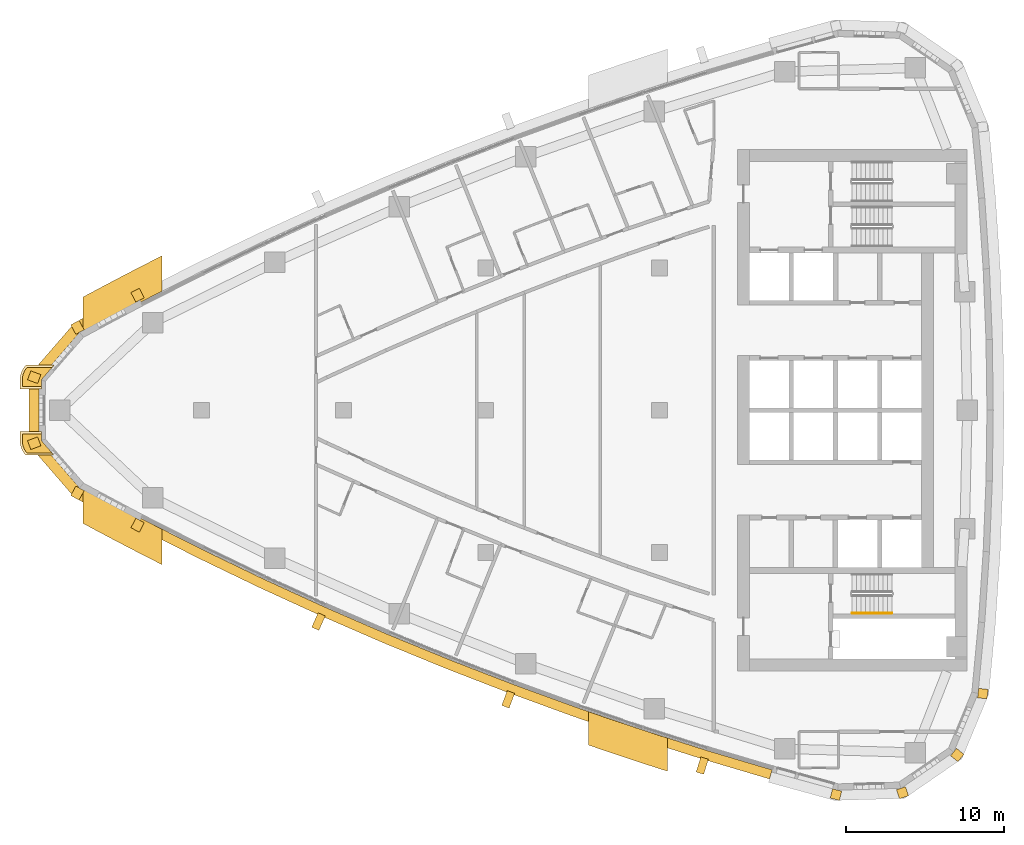
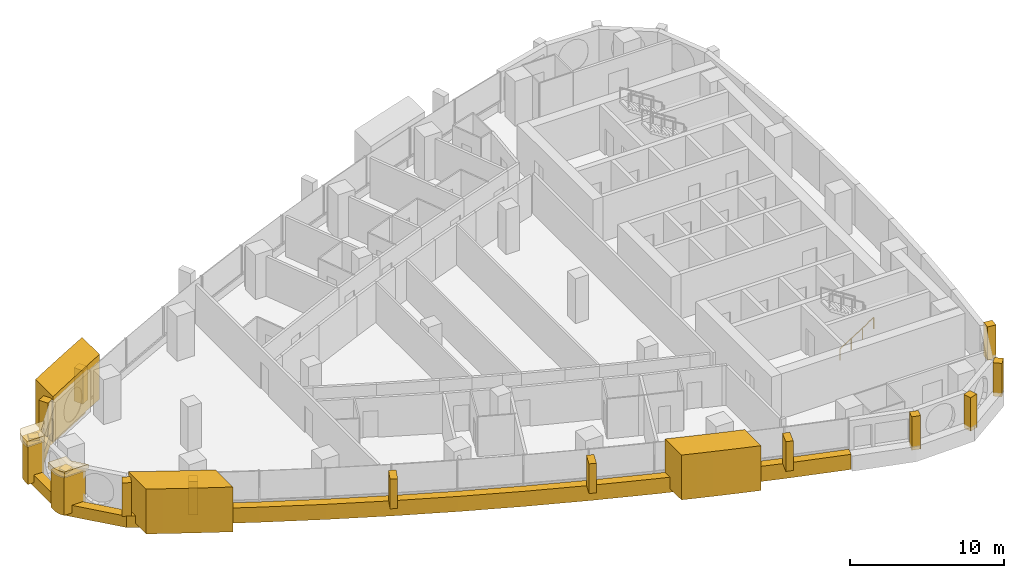
# One storey, part 14 of 17: 22 coverings, 1 railing.
"""IFC4 building model written with IfcOpenShell, lengths in metres."""

from ifc_helpers import new_model, si_unit, direction, frame, frame_2d, origin, origin_2d, place, context, subcontext, project, spatial, polyline, rectangle, circle, outline, extrude, material, layer, layer_set, type_object, element, save


model = new_model("IFC4")

# Units and contexts
model_context = context("Model", 3, precision=1e-05, world=origin(), true_north=direction((0.0, 1.0)))
body_context = subcontext(model_context, "Body", "Model", "MODEL_VIEW")
ifc_project = project(units=[si_unit("LENGTHUNIT", "METRE"), si_unit("AREAUNIT", "SQUARE_METRE"), si_unit("VOLUMEUNIT", "CUBIC_METRE"), si_unit("PLANEANGLEUNIT", "RADIAN"), si_unit("MASSUNIT", "GRAM", prefix="KILO")], contexts=[model_context])

# Site, building, storey
site_placement = place(None, origin())
site = spatial("IfcSite", under=ifc_project, at=site_placement, CompositionType="ELEMENT")
building_placement = place(site_placement, origin())
building = spatial("IfcBuilding", under=site, at=building_placement, Name="Ostrand Prow Hotel Tower", CompositionType="ELEMENT")
storey_placement = place(building_placement, frame((0.0, 0.0, 207.449951171875)))
storey = spatial("IfcBuildingStorey", under=building, at=storey_placement, Name="L52", CompositionType="ELEMENT", Elevation=207.449951171875)

# Coverings
ifc_material_1 = material(Name="Bronze anodised aluminium cladding", Category="aluminium")
ifc_layer_1 = layer(ifc_material_1, 0.60009765625)
ifc_layer_set_1 = layer_set([ifc_layer_1], Name="Bronze anodised aluminium cladding")
covering_type_1 = type_object("IfcCoveringType", Name="Bronze prow band 899x600", PredefinedType="CLADDING", material=ifc_layer_set_1)
covering_1_placement = place(storey_placement, frame((0.0, 0.0, -0.300048828125)))
element("IfcCovering", 1, at=covering_1_placement, inside=storey, type_object=covering_type_1, Name="Bronze prow band", PredefinedType="CLADDING", context=body_context, shape_type="SweptSolid", body=[
    extrude(outline(polyline([(11.8037109375, 7.58154296875), (7.9873046875, 5.546630859375), (5.09521484375, 2.20849609375), (5.09521484375, -2.20849609375), (7.9873046875, -5.546630859375), (11.8037109375, -7.58154296875), (12.117431640625, -6.978515625), (8.3134765625, -4.949951171875), (5.732421875, -1.970703125), (5.732421875, 1.970703125), (8.3134765625, 4.949951171875), (12.117431640625, 6.978515625), (11.8037109375, 7.58154296875)])), origin(), (0.0, 0.0, 1.0), 0.900146484375),
])
ifc_material_2 = material(Name="Bronze anodised aluminium cladding", Category="aluminium")
ifc_layer_2 = layer(ifc_material_2, 0.60009765625)
ifc_layer_set_2 = layer_set([ifc_layer_2], Name="Bronze anodised aluminium cladding")
covering_type_2 = type_object("IfcCoveringType", Name="Bronze spandrel band 1200x600", PredefinedType="CLADDING", material=ifc_layer_set_2)
covering_2_placement = place(storey_placement, frame((0.0, 0.0, -0.300048828125)))
element("IfcCovering", 2, at=covering_2_placement, inside=storey, type_object=covering_type_2, Name="Spandrel band S1", PredefinedType="CLADDING", context=body_context, shape_type="SweptSolid", body=[
    extrude(outline(polyline([(11.9052734375, -7.38623046875), (15.757568359375, -9.341796875), (19.648681640625, -11.219482421875), (23.57666015625, -13.0185546875), (27.5400390625, -14.738037109375), (31.537353515625, -16.37744140625), (35.566650390625, -17.93603515625), (39.626708984375, -19.4130859375), (43.7158203125, -20.80810546875), (47.831787109375, -22.12060546875), (51.9736328125, -23.35009765625), (52.138427734375, -22.773193359375), (48.00830078125, -21.547119140625), (43.90380859375, -20.23828125), (39.826171875, -18.84716796875), (35.777587890625, -17.374267578125), (31.759521484375, -15.820068359375), (27.773193359375, -14.185302734375), (23.821044921875, -12.470458984375), (19.90380859375, -10.676513671875), (16.023681640625, -8.80419921875), (12.18212890625, -6.85400390625), (11.9052734375, -7.38623046875)])), origin(), (0.0, 0.0, 1.0), 1.2001953125),
])
ifc_material_3 = material(Name="Limestone cladding", Category="masonry")
ifc_layer_3 = layer(ifc_material_3, 5.0)
ifc_layer_set_3 = layer_set([ifc_layer_3], Name="Limestone cladding")
covering_type_3 = type_object("IfcCoveringType", Name="Portal jamb pilaster limestone", PredefinedType="CLADDING", material=ifc_layer_set_3)
covering_3_placement = place(storey_placement, origin())
element("IfcCovering", 3, at=covering_3_placement, inside=storey, type_object=covering_type_3, Name="Portal jamb SA L52", PredefinedType="CLADDING", context=body_context, shape_type="SweptSolid", body=[
    extrude(outline(polyline([(8.5, -4.89208984375), (8.5, -7.1669921875), (9.5, -7.702392578125), (10.5, -8.231201171875), (11.5, -8.75341796875), (12.5, -9.268798828125), (13.5, -9.777587890625), (13.5, -7.533935546875), (12.5, -7.01904296875), (11.5, -6.497314453125), (10.5, -5.968994140625), (9.5, -5.43408203125), (8.5, -4.89208984375)])), origin(), (0.0, 0.0, 1.0), 3.550048828125),
])
covering_4_placement = place(storey_placement, origin())
element("IfcCovering", 4, at=covering_4_placement, inside=storey, type_object=covering_type_3, Name="Portal jamb SB L52", PredefinedType="CLADDING", context=body_context, shape_type="SweptSolid", body=[
    extrude(outline(polyline([(40.5, -19.08349609375), (40.5, -21.200439453125), (41.5, -21.542724609375), (42.5, -21.879638671875), (43.5, -22.211181640625), (44.5, -22.537109375), (45.5, -22.85791015625), (45.5, -20.75830078125), (44.5, -20.43408203125), (43.5, -20.104736328125), (42.5, -19.769775390625), (41.5, -19.429443359375), (40.5, -19.08349609375)])), origin(), (0.0, 0.0, 1.0), 3.550048828125),
])
covering_5_placement = place(storey_placement, origin())
element("IfcCovering", 5, at=covering_5_placement, inside=storey, type_object=covering_type_3, Name="Portal jamb NA L52", PredefinedType="CLADDING", context=body_context, shape_type="SweptSolid", body=[
    extrude(outline(polyline([(8.5, 4.89208984375), (9.5, 5.43408203125), (10.5, 5.968994140625), (11.5, 6.497314453125), (12.5, 7.01904296875), (13.5, 7.533935546875), (13.5, 9.777587890625), (12.5, 9.268798828125), (11.5, 8.75341796875), (10.5, 8.231201171875), (9.5, 7.702392578125), (8.5, 7.1669921875), (8.5, 4.89208984375)])), origin(), (0.0, 0.0, 1.0), 3.550048828125),
])
ifc_material_4 = material(Name="Limestone cladding", Category="masonry")
ifc_layer_4 = layer(ifc_material_4, 0.5)
ifc_layer_set_4 = layer_set([ifc_layer_4], Name="Limestone cladding")
covering_type_4 = type_object("IfcCoveringType", Name="Precast stone fin 500x900", PredefinedType="CLADDING", material=ifc_layer_set_4)
for number, where, z_axis, x_axis, name in (
    (6, (23.6171875, -12.92724609375, 0.900146484375), (0.0, 0.0, 1.0), (-0.407021798392, -0.913418444982, 0.0), "Stone fin S 4"),
    (7, (35.601806640625, -17.84228515625, 0.900146484375), (0.0, 0.0, 1.0), (-0.351310716449, -0.936258928133, 0.0), "Stone fin S 7"),
):
    element("IfcCovering", number, at=place(storey_placement, frame(where, z_axis=z_axis, x_axis=x_axis)), inside=storey, type_object=covering_type_4, Name=name, PredefinedType="CLADDING", context=body_context, shape_type="SweptSolid", body=[
        extrude(rectangle(XDim=1.0, YDim=0.5, at=frame_2d((0.5, 0.0))), origin(), (0.0, 0.0, 1.0), 2.349853515625),
    ])
covering_6_placement = place(storey_placement, frame((47.861083984375, -22.025146484375, 0.900146484375), z_axis=(0.0, 0.0, 1.0), x_axis=(-0.294017207984, -0.955800126287, 0.0)))
element("IfcCovering", 8, at=covering_6_placement, inside=storey, type_object=covering_type_4, Name="Stone fin S 10", PredefinedType="CLADDING", context=body_context, shape_type="SweptSolid", body=[
    extrude(rectangle(XDim=0.999755859375, YDim=0.5, at=frame_2d((0.5, 0.0))), origin(), (0.0, 0.0, 1.0), 2.349853515625),
])
ifc_material_5 = material(Name="Limestone cladding", Category="masonry")
ifc_layer_5 = layer(ifc_material_5, 0.60009765625)
ifc_layer_set_5 = layer_set([ifc_layer_5], Name="Limestone cladding")
covering_type_5 = type_object("IfcCoveringType", Name="Precast stone prow rib 600x600", PredefinedType="CLADDING", material=ifc_layer_set_5)
covering_7_placement = place(storey_placement, frame((12.117431640625, 6.978515625, 0.60009765625), z_axis=(0.0, 0.0, 1.0), x_axis=(-0.461522357319, 0.887128577882, 0.0)))
element("IfcCovering", 9, at=covering_7_placement, inside=storey, type_object=covering_type_5, Name="Stone prow rib 1", PredefinedType="CLADDING", context=body_context, shape_type="SweptSolid", body=[
    extrude(rectangle(XDim=0.6796875, YDim=0.60009765625, at=frame_2d((0.33984375, 0.0))), origin(), (0.0, 0.0, 1.0), 2.64990234375),
])
covering_8_placement = place(storey_placement, frame((8.3134765625, 4.949951171875, 0.60009765625), z_axis=(0.0, 0.0, 1.0), x_axis=(-0.479656876283, 0.877456141943, 0.0)))
element("IfcCovering", 10, at=covering_8_placement, inside=storey, type_object=covering_type_5, Name="Stone prow rib 2", PredefinedType="CLADDING", context=body_context, shape_type="SweptSolid", body=[
    extrude(rectangle(XDim=0.679931640625, YDim=0.60009765625, at=frame_2d((0.33984375, 0.0))), origin(), (0.0, 0.0, 1.0), 2.64990234375),
])
for number, where, z_axis, x_axis, name in (
    (11, (5.732421875, 1.970703125, 0.60009765625), (0.0, 0.0, 1.0), (-0.93688855374, 0.349628142277, 0.0), "Stone prow rib 3"),
    (12, (5.732421875, -1.970703125, 0.60009765625), (0.0, 0.0, 1.0), (-0.93688855374, -0.349628142277, 0.0), "Stone prow rib 4"),
):
    element("IfcCovering", number, at=place(storey_placement, frame(where, z_axis=z_axis, x_axis=x_axis)), inside=storey, type_object=covering_type_5, Name=name, PredefinedType="CLADDING", context=body_context, shape_type="SweptSolid", body=[
        extrude(rectangle(XDim=0.68017578125, YDim=0.60009765625, at=frame_2d((0.340087890625, 0.0))), origin(), (0.0, 0.0, 1.0), 2.64990234375),
    ])
covering_9_placement = place(storey_placement, frame((8.3134765625, -4.949951171875, 0.60009765625), z_axis=(0.0, 0.0, 1.0), x_axis=(-0.479656876283, -0.877456141943, 0.0)))
element("IfcCovering", 13, at=covering_9_placement, inside=storey, type_object=covering_type_5, Name="Stone prow rib 5", PredefinedType="CLADDING", context=body_context, shape_type="SweptSolid", body=[
    extrude(rectangle(XDim=0.679931640625, YDim=0.60009765625, at=frame_2d((0.33984375, 0.0))), origin(), (0.0, 0.0, 1.0), 2.64990234375),
])
covering_10_placement = place(storey_placement, frame((12.117431640625, -6.978515625, 0.60009765625), z_axis=(0.0, 0.0, 1.0), x_axis=(-0.461522357319, -0.887128577882, 0.0)))
element("IfcCovering", 14, at=covering_10_placement, inside=storey, type_object=covering_type_5, Name="Stone prow rib 6", PredefinedType="CLADDING", context=body_context, shape_type="SweptSolid", body=[
    extrude(rectangle(XDim=0.6796875, YDim=0.60009765625, at=frame_2d((0.33984375, 0.0))), origin(), (0.0, 0.0, 1.0), 2.64990234375),
])
for number, where, z_axis, x_axis, name in (
    (15, (56.256591796875, -24.05126953125, 0.60009765625), (0.0, 0.0, 1.0), (-0.255154261231, -0.966900358349, 0.0), "Stone corner rib 2a"),
    (16, (60.297607421875, -23.935302734375, 0.60009765625), (0.0, 0.0, 1.0), (0.310484329644, -0.950578498098, 0.0), "Stone corner rib 3a"),
    (17, (63.6279296875, -21.643798828125, 0.60009765625), (0.0, 0.0, 1.0), (0.776922530767, -0.62959620487, 0.0), "Stone corner rib 4a"),
    (18, (65.18017578125, -17.9111328125, 0.60009765625), (0.0, 0.0, 1.0), (0.994255138911, -0.107036062846, 0.0), "Stone corner rib 4b"),
):
    element("IfcCovering", number, at=place(storey_placement, frame(where, z_axis=z_axis, x_axis=x_axis)), inside=storey, type_object=covering_type_5, Name=name, PredefinedType="CLADDING", context=body_context, shape_type="SweptSolid", body=[
        extrude(rectangle(XDim=0.599853515625, YDim=0.60009765625, at=frame_2d((0.2998046875, 0.0))), origin(), (0.0, 0.0, 1.0), 2.64990234375),
    ])
ifc_material_6 = material(Name="Limestone cladding", Category="masonry")
ifc_layer_6 = layer(ifc_material_6, 3.0)
ifc_layer_set_6 = layer_set([ifc_layer_6], Name="Limestone cladding")
covering_type_6 = type_object("IfcCoveringType", Name="Prow nose pier limestone", PredefinedType="CLADDING", material=ifc_layer_set_6)
covering_11_placement = place(storey_placement, frame((0.0, 0.0, 3.050048828125)))
element("IfcCovering", 19, at=covering_11_placement, inside=storey, type_object=covering_type_6, Name="Prow spine cap N L52", PredefinedType="CLADDING", context=body_context, shape_type="SweptSolid", body=[
    extrude(outline(polyline([(4.513916015625, 1.921875), (4.513916015625, 1.35009765625), (5.864013671875, 1.35009765625), (5.864013671875, 1.921875), (6.66796875, 2.85009765625), (4.8818359375, 2.85009765625), (4.843505859375, 2.805908203125), (4.7587890625, 2.697265625), (4.685791015625, 2.580810546875), (4.624755859375, 2.45751953125), (4.57666015625, 2.328369140625), (4.5419921875, 2.1953125), (4.52099609375, 2.05908203125), (4.513916015625, 1.921875)])), origin(), (0.0, 0.0, 1.0), 0.5),
])
covering_12_placement = place(storey_placement, origin())
element("IfcCovering", 20, at=covering_12_placement, inside=storey, type_object=covering_type_6, Name="Prow spine fin N L52", PredefinedType="CLADDING", context=body_context, shape_type="SweptSolid", body=[
    extrude(outline(polyline([(4.663818359375, 1.921875), (4.663818359375, 1.5), (5.864013671875, 1.5), (5.864013671875, 1.921875), (6.5380859375, 2.699951171875), (4.950927734375, 2.699951171875), (4.881591796875, 2.611083984375), (4.816650390625, 2.507568359375), (4.762451171875, 2.39794921875), (4.719482421875, 2.283203125), (4.688720703125, 2.164794921875), (4.670166015625, 2.0439453125), (4.663818359375, 1.921875)])), origin(), (0.0, 0.0, 1.0), 3.050048828125),
])
covering_13_placement = place(storey_placement, frame((0.0, 0.0, 3.050048828125)))
element("IfcCovering", 21, at=covering_13_placement, inside=storey, type_object=covering_type_6, Name="Prow spine cap S L52", PredefinedType="CLADDING", context=body_context, shape_type="SweptSolid", body=[
    extrude(outline(polyline([(4.843505859375, -2.805908203125), (4.8818359375, -2.85009765625), (6.66796875, -2.85009765625), (5.864013671875, -1.921875), (5.864013671875, -1.35009765625), (4.513916015625, -1.35009765625), (4.513916015625, -1.921875), (4.52099609375, -2.05908203125), (4.5419921875, -2.1953125), (4.57666015625, -2.328369140625), (4.624755859375, -2.45751953125), (4.685791015625, -2.580810546875), (4.7587890625, -2.697265625), (4.843505859375, -2.805908203125)])), origin(), (0.0, 0.0, 1.0), 0.5),
])
covering_14_placement = place(storey_placement, origin())
element("IfcCovering", 22, at=covering_14_placement, inside=storey, type_object=covering_type_6, Name="Prow spine fin S L52", PredefinedType="CLADDING", context=body_context, shape_type="SweptSolid", body=[
    extrude(outline(polyline([(4.881591796875, -2.611083984375), (4.950927734375, -2.699951171875), (6.5380859375, -2.699951171875), (5.864013671875, -1.921875), (5.864013671875, -1.5), (4.663818359375, -1.5), (4.663818359375, -1.921875), (4.670166015625, -2.0439453125), (4.688720703125, -2.164794921875), (4.719482421875, -2.283203125), (4.762451171875, -2.39794921875), (4.816650390625, -2.507568359375), (4.881591796875, -2.611083984375)])), origin(), (0.0, 0.0, 1.0), 3.050048828125),
])

# Railing
ifc_material_7 = material(Name="Stainless steel", Category="steel")
railing_type = type_object("IfcRailingType", Name="Stair handrail 900", PredefinedType="HANDRAIL", material=ifc_material_7)
railing_placement = place(storey_placement, frame((57.199951171875, -12.85009765625, 0.177490234375)))
element("IfcRailing", 23, at=railing_placement, inside=storey, type_object=railing_type, Name="L52 ST2C stair handrail 1", PredefinedType="HANDRAIL", context=body_context, shape_type="SweptSolid", body=[
    extrude(circle(Radius=0.02392578125, at=origin_2d()), frame((0.0, 0.0, 0.8759765625), z_axis=(0.84456994832, 0.0, 0.535445237532), x_axis=(0.0, 1.0, 0.0)), (0.0, 0.0, 1.0), 2.98388671875),
    extrude(circle(Radius=0.02099609375, at=origin_2d()), origin(), (0.0, 0.0, 1.0), 0.851806640625),
    extrude(circle(Radius=0.02099609375, at=origin_2d()), frame((0.840087890625, 0.0, 0.532470703125)), (0.0, 0.0, 1.0), 0.851806640625),
    extrude(circle(Radius=0.02099609375, at=origin_2d()), frame((1.679931640625, 0.0, 1.065185546875)), (0.0, 0.0, 1.0), 0.851806640625),
    extrude(circle(Radius=0.02099609375, at=origin_2d()), frame((2.52001953125, 0.0, 1.59765625)), (0.0, 0.0, 1.0), 0.851806640625),
])

save(model, "model.ifc")
